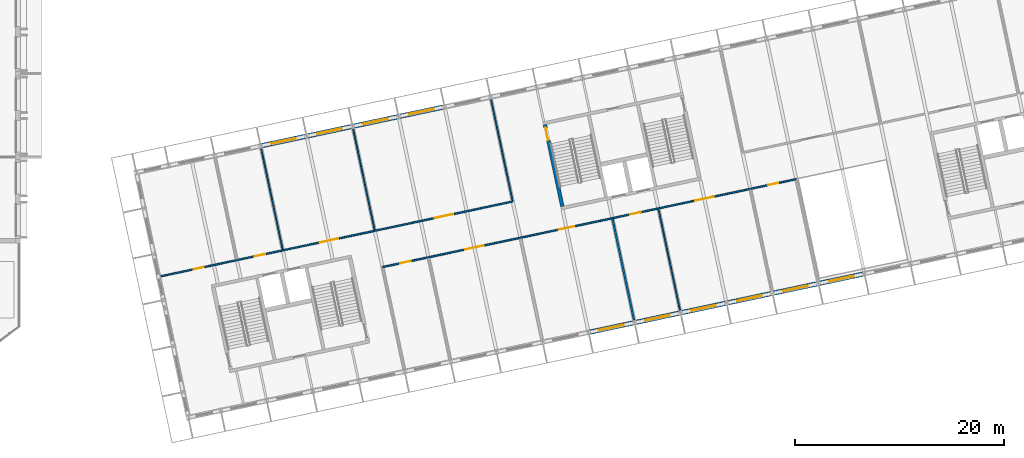
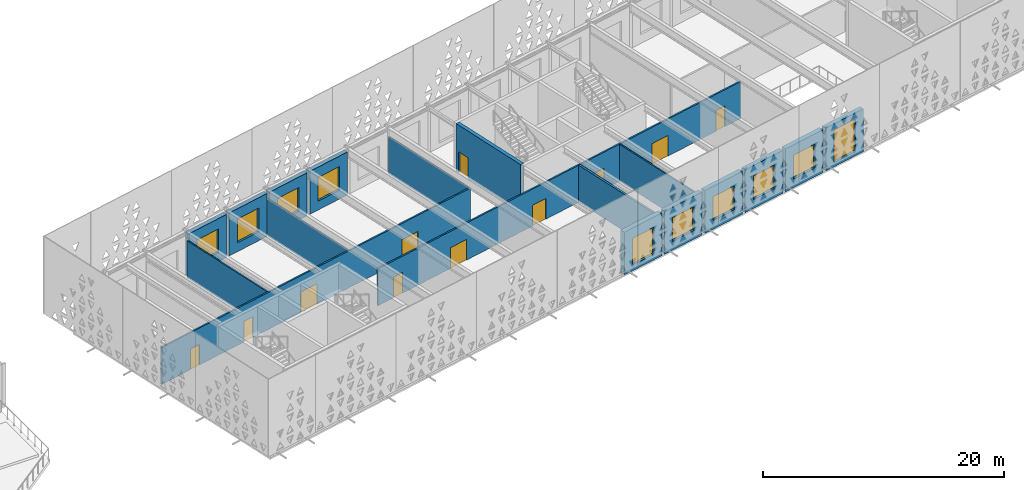
# One storey, part 117 of 196: 18 walls, 11 doors, 10 windows, 21 openings.
"""IFC4 building model written with IfcOpenShell, lengths in metres."""

from ifc_helpers import new_model, si_unit, direction, frame, frame_2d, origin, place, context, subcontext, project, spatial, rectangle, extrude, material, layer, layer_set, type_object, element, fill, save


model = new_model("IFC4")

# Units and contexts
model_context = context("Model", 3, precision=1e-05, world=origin(), true_north=direction((0.0, 1.0)))
body_context = subcontext(model_context, "Body", "Model", "MODEL_VIEW")
ifc_project = project(units=[si_unit("LENGTHUNIT", "METRE"), si_unit("AREAUNIT", "SQUARE_METRE"), si_unit("VOLUMEUNIT", "CUBIC_METRE"), si_unit("PLANEANGLEUNIT", "RADIAN"), si_unit("MASSUNIT", "GRAM", prefix="KILO")], contexts=[model_context])

# Site, building, storey
site_placement = place(None, origin())
site = spatial("IfcSite", under=ifc_project, at=site_placement, CompositionType="ELEMENT")
building_placement = place(site_placement, origin())
building = spatial("IfcBuilding", under=site, at=building_placement, Name="Okhra Congress Centre", CompositionType="ELEMENT")
storey_placement = place(building_placement, frame((0.0, 0.0, 12.0)))
storey = spatial("IfcBuildingStorey", under=building, at=storey_placement, Name="L02", CompositionType="ELEMENT", Elevation=12.0)

# Wall
ifc_material_1 = material(Name="Double gypsum board on steel studs with mineral wool", Category="steel")
ifc_layer_1 = layer(ifc_material_1, 0.199951171875)
ifc_layer_set_1 = layer_set([ifc_layer_1], Name="Acoustic partition 200")
wall_type_1 = type_object("IfcWallType", Name="Acoustic partition 200", PredefinedType="PARTITIONING", material=ifc_layer_set_1)
wall_1_placement = place(storey_placement, frame((104.98095703125, 36.38525390625, 0.0), z_axis=(0.0, 0.0, 1.0), x_axis=(-0.207927890391, 0.978144157268, 0.0)))
element("IfcWall", 1, at=wall_1_placement, inside=storey, type_object=wall_type_1, Name="Partition S L02", PredefinedType="PARTITIONING", context=body_context, shape_type="SweptSolid", body=[
    extrude(rectangle(XDim=9.92529296875, YDim=0.199951171875, at=frame_2d((4.962646484375, 0.0))), origin(), (0.0, 0.0, 1.0), 3.75),
])

# Wall, opening, window
ifc_material_2 = material(Name="Insulated metal panel on steel stud (mineral wool, vapour barrier)", Category="steel")
ifc_layer_2 = layer(ifc_material_2, 0.449951171875)
ifc_layer_set_2 = layer_set([ifc_layer_2], Name="Insulated wall 450")
wall_type_2 = type_object("IfcWallType", Name="Insulated wall 450", PredefinedType="SOLIDWALL", material=ifc_layer_set_2)
wall_2_placement = place(storey_placement, frame((100.772705078125, 35.2607421875, 0.0), z_axis=(0.0, 0.0, 1.0), x_axis=(0.978143927149, 0.207928972925, 0.0)))
wall_2 = element("IfcWall", 2, at=wall_2_placement, inside=storey, type_object=wall_type_2, Name="External wall S10 L02", PredefinedType="SOLIDWALL", context=body_context, shape_type="SweptSolid", body=[
    extrude(rectangle(XDim=4.199951171875, YDim=0.449951171875, at=frame_2d((2.10009765625, 0.0))), origin(), (0.0, 0.0, 1.0), 4.35009765625),
])
opening_1_placement = place(wall_2_placement, frame((0.89990234375, 0.0, 0.60009765625)))
opening_1 = element("IfcOpeningElement", 3, at=opening_1_placement, cuts=wall_2, Name="Opening WN23", PredefinedType="OPENING", context=body_context, shape_type="SweptSolid", body=[
    extrude(rectangle(XDim=2.39990234375, YDim=2.699951171875, at=frame_2d((1.199951171875, 1.35009765625))), frame((0.0, 0.23486328125, 0.0), z_axis=(0.0, -1.0, 0.0), x_axis=(1.0, 0.0, 0.0)), (0.0, 0.0, 1.0), 0.469970703125),
])
ifc_material_3 = material(Name="Thermally broken aluminium frame, triple glazing", Category="aluminium")
window_type_1 = type_object("IfcWindowType", Name="Casement window 2400x2700", PartitioningType="SINGLE_PANEL", PredefinedType="WINDOW", material=ifc_material_3)
window_1_placement = place(opening_1_placement, origin())
window_1 = element("IfcWindow", 4, at=window_1_placement, inside=storey, type_object=window_type_1, Name="BX.WIN.L02.10", OverallHeight=2.699951171875, OverallWidth=2.39990234375, PartitioningType="SINGLE_PANEL", PredefinedType="WINDOW", context=body_context, shape_type="SweptSolid", body=[
    extrude(rectangle(XDim=2.39990234375, YDim=2.699951171875, at=frame_2d((1.199951171875, 1.35009765625))), frame((0.0, 0.030029296875, 0.0), z_axis=(0.0, -1.0, 0.0), x_axis=(1.0, 0.0, 0.0)), (0.0, 0.0, 1.0), 0.06005859375),
])
fill(opening_1, window_1)

wall_3_placement = place(storey_placement, frame((105.17431640625, 36.196533203125, 0.0), z_axis=(0.0, 0.0, 1.0), x_axis=(0.978155748334, 0.207873355681, 0.0)))
wall_3 = element("IfcWall", 5, at=wall_3_placement, inside=storey, type_object=wall_type_2, Name="External wall S11 L02", PredefinedType="SOLIDWALL", context=body_context, shape_type="SweptSolid", body=[
    extrude(rectangle(XDim=4.199951171875, YDim=0.449951171875, at=frame_2d((2.10009765625, 0.0))), origin(), (0.0, 0.0, 1.0), 4.35009765625),
])
opening_2_placement = place(wall_3_placement, frame((0.89990234375, 0.0, 0.89990234375)))
opening_2 = element("IfcOpeningElement", 6, at=opening_2_placement, cuts=wall_3, Name="Opening WN22", PredefinedType="OPENING", context=body_context, shape_type="SweptSolid", body=[
    extrude(rectangle(XDim=2.39990234375, YDim=2.39990234375, at=frame_2d((1.199951171875, 1.199951171875))), frame((0.0, 0.23486328125, 0.0), z_axis=(0.0, -1.0, 0.0), x_axis=(1.0, 0.0, 0.0)), (0.0, 0.0, 1.0), 0.469970703125),
])
window_type_2 = type_object("IfcWindowType", Name="Fixed window 2400x2400", PartitioningType="SINGLE_PANEL", PredefinedType="WINDOW", material=ifc_material_3)
window_2_placement = place(opening_2_placement, origin())
window_2 = element("IfcWindow", 7, at=window_2_placement, inside=storey, type_object=window_type_2, Name="BX.WIN.L02.11", OverallHeight=2.39990234375, OverallWidth=2.39990234375, PartitioningType="SINGLE_PANEL", PredefinedType="WINDOW", context=body_context, shape_type="SweptSolid", body=[
    extrude(rectangle(XDim=2.39990234375, YDim=2.39990234375, at=frame_2d((1.199951171875, 1.199951171875))), frame((0.0, 0.030029296875, 0.0), z_axis=(0.0, -1.0, 0.0), x_axis=(1.0, 0.0, 0.0)), (0.0, 0.0, 1.0), 0.06005859375),
])
fill(opening_2, window_2)

wall_4_placement = place(storey_placement, frame((109.575927734375, 37.132080078125, 0.0), z_axis=(0.0, 0.0, 1.0), x_axis=(0.978146440129, 0.207917150959, 0.0)))
wall_4 = element("IfcWall", 8, at=wall_4_placement, inside=storey, type_object=wall_type_2, Name="External wall S12 L02", PredefinedType="SOLIDWALL", context=body_context, shape_type="SweptSolid", body=[
    extrude(rectangle(XDim=4.2001953125, YDim=0.449951171875, at=frame_2d((2.10009765625, 0.0))), origin(), (0.0, 0.0, 1.0), 4.35009765625),
])
opening_3_placement = place(wall_4_placement, frame((0.89990234375, 0.0, 0.89990234375)))
opening_3 = element("IfcOpeningElement", 9, at=opening_3_placement, cuts=wall_4, Name="Opening WN22", PredefinedType="OPENING", context=body_context, shape_type="SweptSolid", body=[
    extrude(rectangle(XDim=2.39990234375, YDim=2.39990234375, at=frame_2d((1.199951171875, 1.199951171875))), frame((0.0, 0.23486328125, 0.0), z_axis=(0.0, -1.0, 0.0), x_axis=(1.0, 0.0, 0.0)), (0.0, 0.0, 1.0), 0.469970703125),
])
window_3_placement = place(opening_3_placement, origin())
window_3 = element("IfcWindow", 10, at=window_3_placement, inside=storey, type_object=window_type_2, Name="BX.WIN.L02.12", OverallHeight=2.39990234375, OverallWidth=2.39990234375, PartitioningType="SINGLE_PANEL", PredefinedType="WINDOW", context=body_context, shape_type="SweptSolid", body=[
    extrude(rectangle(XDim=2.39990234375, YDim=2.39990234375, at=frame_2d((1.199951171875, 1.199951171875))), frame((0.0, 0.030029296875, 0.0), z_axis=(0.0, -1.0, 0.0), x_axis=(1.0, 0.0, 0.0)), (0.0, 0.0, 1.0), 0.06005859375),
])
fill(opening_3, window_3)

wall_5_placement = place(storey_placement, frame((113.977783203125, 38.067626953125, 0.0), z_axis=(0.0, 0.0, 1.0), x_axis=(0.978143927149, 0.207928972925, 0.0)))
wall_5 = element("IfcWall", 11, at=wall_5_placement, inside=storey, type_object=wall_type_2, Name="External wall S13 L02", PredefinedType="SOLIDWALL", context=body_context, shape_type="SweptSolid", body=[
    extrude(rectangle(XDim=4.199951171875, YDim=0.449951171875, at=frame_2d((2.10009765625, 0.0))), origin(), (0.0, 0.0, 1.0), 4.35009765625),
])
opening_4_placement = place(wall_5_placement, frame((0.89990234375, 0.0, 0.89990234375)))
opening_4 = element("IfcOpeningElement", 12, at=opening_4_placement, cuts=wall_5, Name="Opening WN22", PredefinedType="OPENING", context=body_context, shape_type="SweptSolid", body=[
    extrude(rectangle(XDim=2.39990234375, YDim=2.39990234375, at=frame_2d((1.199951171875, 1.199951171875))), frame((0.0, 0.23486328125, 0.0), z_axis=(0.0, -1.0, 0.0), x_axis=(1.0, 0.0, 0.0)), (0.0, 0.0, 1.0), 0.469970703125),
])
window_4_placement = place(opening_4_placement, origin())
window_4 = element("IfcWindow", 13, at=window_4_placement, inside=storey, type_object=window_type_2, Name="BX.WIN.L02.13", OverallHeight=2.39990234375, OverallWidth=2.39990234375, PartitioningType="SINGLE_PANEL", PredefinedType="WINDOW", context=body_context, shape_type="SweptSolid", body=[
    extrude(rectangle(XDim=2.39990234375, YDim=2.39990234375, at=frame_2d((1.199951171875, 1.199951171875))), frame((0.0, 0.030029296875, 0.0), z_axis=(0.0, -1.0, 0.0), x_axis=(1.0, 0.0, 0.0)), (0.0, 0.0, 1.0), 0.06005859375),
])
fill(opening_4, window_4)

wall_6_placement = place(storey_placement, frame((118.37939453125, 39.003173828125, 0.0), z_axis=(0.0, 0.0, 1.0), x_axis=(0.978143927149, 0.207928972925, 0.0)))
wall_6 = element("IfcWall", 14, at=wall_6_placement, inside=storey, type_object=wall_type_2, Name="External wall S14 L02", PredefinedType="SOLIDWALL", context=body_context, shape_type="SweptSolid", body=[
    extrude(rectangle(XDim=4.199951171875, YDim=0.449951171875, at=frame_2d((2.10009765625, 0.0))), origin(), (0.0, 0.0, 1.0), 4.35009765625),
])
opening_5_placement = place(wall_6_placement, frame((0.89990234375, 0.0, 0.89990234375)))
opening_5 = element("IfcOpeningElement", 15, at=opening_5_placement, cuts=wall_6, Name="Opening WN22", PredefinedType="OPENING", context=body_context, shape_type="SweptSolid", body=[
    extrude(rectangle(XDim=2.39990234375, YDim=2.39990234375, at=frame_2d((1.199951171875, 1.199951171875))), frame((0.0, 0.23486328125, 0.0), z_axis=(0.0, -1.0, 0.0), x_axis=(1.0, 0.0, 0.0)), (0.0, 0.0, 1.0), 0.469970703125),
])
window_5_placement = place(opening_5_placement, origin())
window_5 = element("IfcWindow", 16, at=window_5_placement, inside=storey, type_object=window_type_2, Name="BX.WIN.L02.14", OverallHeight=2.39990234375, OverallWidth=2.39990234375, PartitioningType="SINGLE_PANEL", PredefinedType="WINDOW", context=body_context, shape_type="SweptSolid", body=[
    extrude(rectangle(XDim=2.39990234375, YDim=2.39990234375, at=frame_2d((1.199951171875, 1.199951171875))), frame((0.0, 0.030029296875, 0.0), z_axis=(0.0, -1.0, 0.0), x_axis=(1.0, 0.0, 0.0)), (0.0, 0.0, 1.0), 0.06005859375),
])
fill(opening_5, window_5)

wall_7_placement = place(storey_placement, frame((122.781005859375, 39.93896484375, 0.0), z_axis=(0.0, 0.0, 1.0), x_axis=(0.978155748334, 0.207873355681, 0.0)))
wall_7 = element("IfcWall", 17, at=wall_7_placement, inside=storey, type_object=wall_type_2, Name="External wall S15 L02", PredefinedType="SOLIDWALL", context=body_context, shape_type="SweptSolid", body=[
    extrude(rectangle(XDim=4.199951171875, YDim=0.449951171875, at=frame_2d((2.10009765625, 0.0))), origin(), (0.0, 0.0, 1.0), 4.35009765625),
])
opening_6_placement = place(wall_7_placement, frame((0.89990234375, 0.0, 0.449951171875)))
opening_6 = element("IfcOpeningElement", 18, at=opening_6_placement, cuts=wall_7, Name="Opening WN21", PredefinedType="OPENING", context=body_context, shape_type="SweptSolid", body=[
    extrude(rectangle(XDim=2.39990234375, YDim=3.300048828125, at=frame_2d((1.199951171875, 1.64990234375))), frame((0.0, 0.23486328125, 0.0), z_axis=(0.0, -1.0, 0.0), x_axis=(1.0, 0.0, 0.0)), (0.0, 0.0, 1.0), 0.469970703125),
])
window_type_3 = type_object("IfcWindowType", Name="Two-light window 2400x3300", PartitioningType="DOUBLE_PANEL_VERTICAL", PredefinedType="WINDOW", material=ifc_material_3)
window_6_placement = place(opening_6_placement, origin())
window_6 = element("IfcWindow", 19, at=window_6_placement, inside=storey, type_object=window_type_3, Name="BX.WIN.L02.15", OverallHeight=3.300048828125, OverallWidth=2.39990234375, PartitioningType="DOUBLE_PANEL_VERTICAL", PredefinedType="WINDOW", context=body_context, shape_type="SweptSolid", body=[
    extrude(rectangle(XDim=2.39990234375, YDim=3.300048828125, at=frame_2d((1.199951171875, 1.64990234375))), frame((0.0, 0.030029296875, 0.0), z_axis=(0.0, -1.0, 0.0), x_axis=(1.0, 0.0, 0.0)), (0.0, 0.0, 1.0), 0.06005859375),
])
fill(opening_6, window_6)

wall_8_placement = place(storey_placement, frame((69.372802734375, 53.122802734375, 0.0), z_axis=(0.0, 0.0, 1.0), x_axis=(0.978143927149, 0.207928972925, 0.0)))
wall_8 = element("IfcWall", 20, at=wall_8_placement, inside=storey, type_object=wall_type_2, Name="External wall N4 L02", PredefinedType="SOLIDWALL", context=body_context, shape_type="SweptSolid", body=[
    extrude(rectangle(XDim=4.199951171875, YDim=0.449951171875, at=frame_2d((2.10009765625, 0.0))), origin(), (0.0, 0.0, 1.0), 4.35009765625),
])
opening_7_placement = place(wall_8_placement, frame((0.89990234375, 0.0, 0.89990234375)))
opening_7 = element("IfcOpeningElement", 21, at=opening_7_placement, cuts=wall_8, Name="Opening WN22", PredefinedType="OPENING", context=body_context, shape_type="SweptSolid", body=[
    extrude(rectangle(XDim=2.39990234375, YDim=2.39990234375, at=frame_2d((1.199951171875, 1.199951171875))), frame((0.0, 0.23486328125, 0.0), z_axis=(0.0, -1.0, 0.0), x_axis=(1.0, 0.0, 0.0)), (0.0, 0.0, 1.0), 0.469970703125),
])
window_7_placement = place(opening_7_placement, origin())
window_7 = element("IfcWindow", 22, at=window_7_placement, inside=storey, type_object=window_type_2, Name="BX.WIN.L02.40", OverallHeight=2.39990234375, OverallWidth=2.39990234375, PartitioningType="SINGLE_PANEL", PredefinedType="WINDOW", context=body_context, shape_type="SweptSolid", body=[
    extrude(rectangle(XDim=2.39990234375, YDim=2.39990234375, at=frame_2d((1.199951171875, 1.199951171875))), frame((0.0, 0.030029296875, 0.0), z_axis=(0.0, -1.0, 0.0), x_axis=(1.0, 0.0, 0.0)), (0.0, 0.0, 1.0), 0.06005859375),
])
fill(opening_7, window_7)

wall_9_placement = place(storey_placement, frame((73.7744140625, 54.058349609375, 0.0), z_axis=(0.0, 0.0, 1.0), x_axis=(0.978146440129, 0.207917150959, 0.0)))
wall_9 = element("IfcWall", 23, at=wall_9_placement, inside=storey, type_object=wall_type_2, Name="External wall N5 L02", PredefinedType="SOLIDWALL", context=body_context, shape_type="SweptSolid", body=[
    extrude(rectangle(XDim=4.2001953125, YDim=0.449951171875, at=frame_2d((2.10009765625, 0.0))), origin(), (0.0, 0.0, 1.0), 4.35009765625),
])
opening_8_placement = place(wall_9_placement, frame((0.89990234375, 0.0, 0.89990234375)))
opening_8 = element("IfcOpeningElement", 24, at=opening_8_placement, cuts=wall_9, Name="Opening WN22", PredefinedType="OPENING", context=body_context, shape_type="SweptSolid", body=[
    extrude(rectangle(XDim=2.39990234375, YDim=2.39990234375, at=frame_2d((1.199951171875, 1.199951171875))), frame((0.0, 0.23486328125, 0.0), z_axis=(0.0, -1.0, 0.0), x_axis=(1.0, 0.0, 0.0)), (0.0, 0.0, 1.0), 0.469970703125),
])
window_8_placement = place(opening_8_placement, origin())
window_8 = element("IfcWindow", 25, at=window_8_placement, inside=storey, type_object=window_type_2, Name="BX.WIN.L02.41", OverallHeight=2.39990234375, OverallWidth=2.39990234375, PartitioningType="SINGLE_PANEL", PredefinedType="WINDOW", context=body_context, shape_type="SweptSolid", body=[
    extrude(rectangle(XDim=2.39990234375, YDim=2.39990234375, at=frame_2d((1.199951171875, 1.199951171875))), frame((0.0, 0.030029296875, 0.0), z_axis=(0.0, -1.0, 0.0), x_axis=(1.0, 0.0, 0.0)), (0.0, 0.0, 1.0), 0.06005859375),
])
fill(opening_8, window_8)

wall_10_placement = place(storey_placement, frame((78.17626953125, 54.993896484375, 0.0), z_axis=(0.0, 0.0, 1.0), x_axis=(0.978143927149, 0.207928972925, 0.0)))
wall_10 = element("IfcWall", 26, at=wall_10_placement, inside=storey, type_object=wall_type_2, Name="External wall N6 L02", PredefinedType="SOLIDWALL", context=body_context, shape_type="SweptSolid", body=[
    extrude(rectangle(XDim=4.199951171875, YDim=0.449951171875, at=frame_2d((2.10009765625, 0.0))), origin(), (0.0, 0.0, 1.0), 4.35009765625),
])
opening_9_placement = place(wall_10_placement, frame((0.89990234375, 0.0, 0.89990234375)))
opening_9 = element("IfcOpeningElement", 27, at=opening_9_placement, cuts=wall_10, Name="Opening WN22", PredefinedType="OPENING", context=body_context, shape_type="SweptSolid", body=[
    extrude(rectangle(XDim=2.39990234375, YDim=2.39990234375, at=frame_2d((1.199951171875, 1.199951171875))), frame((0.0, 0.23486328125, 0.0), z_axis=(0.0, -1.0, 0.0), x_axis=(1.0, 0.0, 0.0)), (0.0, 0.0, 1.0), 0.469970703125),
])
window_9_placement = place(opening_9_placement, origin())
window_9 = element("IfcWindow", 28, at=window_9_placement, inside=storey, type_object=window_type_2, Name="BX.WIN.L02.42", OverallHeight=2.39990234375, OverallWidth=2.39990234375, PartitioningType="SINGLE_PANEL", PredefinedType="WINDOW", context=body_context, shape_type="SweptSolid", body=[
    extrude(rectangle(XDim=2.39990234375, YDim=2.39990234375, at=frame_2d((1.199951171875, 1.199951171875))), frame((0.0, 0.030029296875, 0.0), z_axis=(0.0, -1.0, 0.0), x_axis=(1.0, 0.0, 0.0)), (0.0, 0.0, 1.0), 0.06005859375),
])
fill(opening_9, window_9)

wall_11_placement = place(storey_placement, frame((82.577880859375, 55.9296875, 0.0), z_axis=(0.0, 0.0, 1.0), x_axis=(0.978155748334, 0.207873355681, 0.0)))
wall_11 = element("IfcWall", 29, at=wall_11_placement, inside=storey, type_object=wall_type_2, Name="External wall N7 L02", PredefinedType="SOLIDWALL", context=body_context, shape_type="SweptSolid", body=[
    extrude(rectangle(XDim=4.199951171875, YDim=0.449951171875, at=frame_2d((2.10009765625, 0.0))), origin(), (0.0, 0.0, 1.0), 4.35009765625),
])
opening_10_placement = place(wall_11_placement, frame((0.89990234375, 0.0, 0.89990234375)))
opening_10 = element("IfcOpeningElement", 30, at=opening_10_placement, cuts=wall_11, Name="Opening WN22", PredefinedType="OPENING", context=body_context, shape_type="SweptSolid", body=[
    extrude(rectangle(XDim=2.39990234375, YDim=2.39990234375, at=frame_2d((1.199951171875, 1.199951171875))), frame((0.0, 0.23486328125, 0.0), z_axis=(0.0, -1.0, 0.0), x_axis=(1.0, 0.0, 0.0)), (0.0, 0.0, 1.0), 0.469970703125),
])
window_10_placement = place(opening_10_placement, origin())
window_10 = element("IfcWindow", 31, at=window_10_placement, inside=storey, type_object=window_type_2, Name="BX.WIN.L02.43", OverallHeight=2.39990234375, OverallWidth=2.39990234375, PartitioningType="SINGLE_PANEL", PredefinedType="WINDOW", context=body_context, shape_type="SweptSolid", body=[
    extrude(rectangle(XDim=2.39990234375, YDim=2.39990234375, at=frame_2d((1.199951171875, 1.199951171875))), frame((0.0, 0.030029296875, 0.0), z_axis=(0.0, -1.0, 0.0), x_axis=(1.0, 0.0, 0.0)), (0.0, 0.0, 1.0), 0.06005859375),
])
fill(opening_10, window_10)

# Walls
ifc_material_4 = material(Name="Gypsum board on steel studs", Category="steel")
ifc_layer_3 = layer(ifc_material_4, 0.125)
ifc_layer_set_3 = layer_set([ifc_layer_3], Name="Partition 125")
wall_type_3 = type_object("IfcWallType", Name="Partition 125", PredefinedType="PARTITIONING", material=ifc_layer_set_3)
wall_12_placement = place(storey_placement, frame((109.382568359375, 37.321044921875, 0.0), z_axis=(0.0, 0.0, 1.0), x_axis=(-0.20790935802, 0.978148096582, 0.0)))
element("IfcWall", 32, at=wall_12_placement, inside=storey, type_object=wall_type_3, Name="Partition S L02", PredefinedType="PARTITIONING", context=body_context, shape_type="SweptSolid", body=[
    extrude(rectangle(XDim=9.9248046875, YDim=0.125, at=frame_2d((4.96240234375, 0.0))), origin(), (0.0, 0.0, 1.0), 3.75),
])
wall_13_placement = place(storey_placement, frame((69.27294921875, 52.87158203125, 0.0), z_axis=(0.0, 0.0, 1.0), x_axis=(0.207904355568, -0.978149159861, 0.0)))
element("IfcWall", 33, at=wall_13_placement, inside=storey, type_object=wall_type_3, Name="Partition N L02", PredefinedType="PARTITIONING", context=body_context, shape_type="SweptSolid", body=[
    extrude(rectangle(XDim=9.925048828125, YDim=0.125, at=frame_2d((4.96240234375, 0.0))), origin(), (0.0, 0.0, 1.0), 3.75),
])
wall_14_placement = place(storey_placement, frame((78.076171875, 54.74267578125, 0.0), z_axis=(0.0, 0.0, 1.0), x_axis=(0.20790935802, -0.978148096582, 0.0)))
element("IfcWall", 34, at=wall_14_placement, inside=storey, type_object=wall_type_3, Name="Partition N L02", PredefinedType="PARTITIONING", context=body_context, shape_type="SweptSolid", body=[
    extrude(rectangle(XDim=9.9248046875, YDim=0.125, at=frame_2d((4.96240234375, 0.0))), origin(), (0.0, 0.0, 1.0), 3.75),
])
wall_15_placement = place(storey_placement, frame((91.28125, 57.549560546875, 0.0), z_axis=(0.0, 0.0, 1.0), x_axis=(0.207904355568, -0.978149159861, 0.0)))
element("IfcWall", 35, at=wall_15_placement, inside=storey, type_object=wall_type_3, Name="Partition N L02", PredefinedType="PARTITIONING", context=body_context, shape_type="SweptSolid", body=[
    extrude(rectangle(XDim=9.925048828125, YDim=0.125, at=frame_2d((4.96240234375, 0.0))), origin(), (0.0, 0.0, 1.0), 3.75),
])

# Wall, openings, doors
ifc_layer_4 = layer(ifc_material_4, 0.14990234375)
ifc_layer_set_4 = layer_set([ifc_layer_4], Name="Partition 150 EI 15")
wall_type_4 = type_object("IfcWallType", Name="Partition 150 EI 15", PredefinedType="PARTITIONING", material=ifc_layer_set_4)
wall_16_placement = place(storey_placement, frame((80.893310546875, 41.48876953125, 0.0), z_axis=(0.0, 0.0, 1.0), x_axis=(0.978147680869, 0.207911313813, 0.0)))
wall_16 = element("IfcWall", 36, at=wall_16_placement, inside=storey, type_object=wall_type_4, Name="Corridor wall S1 L02", PredefinedType="PARTITIONING", context=body_context, shape_type="SweptSolid", body=[
    extrude(rectangle(XDim=40.5, YDim=0.14990234375, at=frame_2d((20.25, 0.0))), origin(), (0.0, 0.0, 1.0), 3.75),
])
opening_11_placement = place(wall_16_placement, frame((1.75, 0.0, 0.0)))
opening_11 = element("IfcOpeningElement", 37, at=opening_11_placement, cuts=wall_16, Name="Opening L02-061", PredefinedType="OPENING", context=body_context, shape_type="SweptSolid", body=[
    extrude(rectangle(XDim=1.0, YDim=2.10009765625, at=frame_2d((0.5, 1.050048828125))), frame((0.0, 0.0849609375, 0.0), z_axis=(0.0, -1.0, 0.0), x_axis=(1.0, 0.0, 0.0)), (0.0, 0.0, 1.0), 0.169921875),
])
opening_12_placement = place(wall_16_placement, frame((8.10009765625, 0.0, 0.0)))
opening_12 = element("IfcOpeningElement", 38, at=opening_12_placement, cuts=wall_16, Name="Opening L02-062", PredefinedType="OPENING", context=body_context, shape_type="SweptSolid", body=[
    extrude(rectangle(XDim=1.800048828125, YDim=2.10009765625, at=frame_2d((0.89990234375, 1.050048828125))), frame((0.0, 0.0849609375, 0.0), z_axis=(0.0, -1.0, 0.0), x_axis=(1.0, 0.0, 0.0)), (0.0, 0.0, 1.0), 0.169921875),
])
opening_13_placement = place(wall_16_placement, frame((17.25, 0.0, 0.0)))
opening_13 = element("IfcOpeningElement", 39, at=opening_13_placement, cuts=wall_16, Name="Opening L02-063", PredefinedType="OPENING", context=body_context, shape_type="SweptSolid", body=[
    extrude(rectangle(XDim=1.5, YDim=2.10009765625, at=frame_2d((0.75, 1.050048828125))), frame((0.0, 0.0849609375, 0.0), z_axis=(0.0, -1.0, 0.0), x_axis=(1.0, 0.0, 0.0)), (0.0, 0.0, 1.0), 0.169921875),
])
opening_14_placement = place(wall_16_placement, frame((24.25, 0.0, 0.0)))
opening_14 = element("IfcOpeningElement", 40, at=opening_14_placement, cuts=wall_16, Name="Opening L02-064", PredefinedType="OPENING", context=body_context, shape_type="SweptSolid", body=[
    extrude(rectangle(XDim=1.0, YDim=2.10009765625, at=frame_2d((0.5, 1.050048828125))), frame((0.0, 0.0849609375, 0.0), z_axis=(0.0, -1.0, 0.0), x_axis=(1.0, 0.0, 0.0)), (0.0, 0.0, 1.0), 0.169921875),
])
opening_15_placement = place(wall_16_placement, frame((30.60009765625, 0.0, 0.0)))
opening_15 = element("IfcOpeningElement", 41, at=opening_15_placement, cuts=wall_16, Name="Opening L02-065", PredefinedType="OPENING", context=body_context, shape_type="SweptSolid", body=[
    extrude(rectangle(XDim=1.800048828125, YDim=2.10009765625, at=frame_2d((0.89990234375, 1.050048828125))), frame((0.0, 0.0849609375, 0.0), z_axis=(0.0, -1.0, 0.0), x_axis=(1.0, 0.0, 0.0)), (0.0, 0.0, 1.0), 0.169921875),
])
opening_16_placement = place(wall_16_placement, frame((37.75, 0.0, 0.0)))
opening_16 = element("IfcOpeningElement", 42, at=opening_16_placement, cuts=wall_16, Name="Opening L02-066", PredefinedType="OPENING", context=body_context, shape_type="SweptSolid", body=[
    extrude(rectangle(XDim=1.0, YDim=2.10009765625, at=frame_2d((0.5, 1.050048828125))), frame((0.0, 0.0849609375, 0.0), z_axis=(0.0, -1.0, 0.0), x_axis=(1.0, 0.0, 0.0)), (0.0, 0.0, 1.0), 0.169921875),
])
ifc_material_5 = material(Name="Timber door leaves in steel frame", Category="steel")
door_type_1 = type_object("IfcDoorType", Name="Double swing door 1500x2100", OperationType="NOTDEFINED", PredefinedType="DOOR", material=ifc_material_5)
door_1_placement = place(opening_13_placement, origin())
door_1 = element("IfcDoor", 43, at=door_1_placement, inside=storey, type_object=door_type_1, Name="Door L02-063", OperationType="DOUBLE_DOOR_SINGLE_SWING", OverallHeight=2.10009765625, OverallWidth=1.5, PredefinedType="DOOR", context=body_context, shape_type="SweptSolid", body=[
    extrude(rectangle(XDim=1.5, YDim=2.10009765625, at=frame_2d((0.75, 1.050048828125))), frame((0.0, 0.02490234375, 0.0), z_axis=(0.0, -1.0, 0.0), x_axis=(1.0, 0.0, 0.0)), (0.0, 0.0, 1.0), 0.050048828125),
])
fill(opening_13, door_1)
door_type_2 = type_object("IfcDoorType", Name="Double swing door 1800x2100", OperationType="NOTDEFINED", PredefinedType="DOOR", material=ifc_material_5)
door_2_placement = place(opening_12_placement, origin())
door_2 = element("IfcDoor", 44, at=door_2_placement, inside=storey, type_object=door_type_2, Name="Door L02-062", OperationType="DOUBLE_DOOR_SINGLE_SWING", OverallHeight=2.10009765625, OverallWidth=1.800048828125, PredefinedType="DOOR", context=body_context, shape_type="SweptSolid", body=[
    extrude(rectangle(XDim=1.800048828125, YDim=2.10009765625, at=frame_2d((0.89990234375, 1.050048828125))), frame((0.0, 0.02490234375, 0.0), z_axis=(0.0, -1.0, 0.0), x_axis=(1.0, 0.0, 0.0)), (0.0, 0.0, 1.0), 0.050048828125),
])
fill(opening_12, door_2)
door_3_placement = place(opening_15_placement, origin())
door_3 = element("IfcDoor", 45, at=door_3_placement, inside=storey, type_object=door_type_2, Name="Door L02-065", OperationType="DOUBLE_DOOR_SINGLE_SWING", OverallHeight=2.10009765625, OverallWidth=1.800048828125, PredefinedType="DOOR", context=body_context, shape_type="SweptSolid", body=[
    extrude(rectangle(XDim=1.800048828125, YDim=2.10009765625, at=frame_2d((0.89990234375, 1.050048828125))), frame((0.0, 0.02490234375, 0.0), z_axis=(0.0, -1.0, 0.0), x_axis=(1.0, 0.0, 0.0)), (0.0, 0.0, 1.0), 0.050048828125),
])
fill(opening_15, door_3)
ifc_material_6 = material(Name="Timber door leaf in steel frame", Category="steel")
door_type_3 = type_object("IfcDoorType", Name="Single swing door 1000x2100", OperationType="NOTDEFINED", PredefinedType="DOOR", material=ifc_material_6)
door_4_placement = place(opening_11_placement, frame((1.0, 0.0, 0.0), z_axis=(0.0, 0.0, 1.0), x_axis=(-1.0, 0.0, 0.0)))
door_4 = element("IfcDoor", 46, at=door_4_placement, inside=storey, type_object=door_type_3, Name="Door L02-061", OperationType="SINGLE_SWING_LEFT", OverallHeight=2.10009765625, OverallWidth=1.0, PredefinedType="DOOR", context=body_context, shape_type="SweptSolid", body=[
    extrude(rectangle(XDim=1.0, YDim=2.10009765625, at=frame_2d((0.5, 1.050048828125))), frame((0.0, 0.02490234375, 0.0), z_axis=(0.0, -1.0, 0.0), x_axis=(1.0, 0.0, 0.0)), (0.0, 0.0, 1.0), 0.050048828125),
])
fill(opening_11, door_4)
door_5_placement = place(opening_14_placement, frame((1.0, 0.0, 0.0), z_axis=(0.0, 0.0, 1.0), x_axis=(-1.0, 0.0, 0.0)))
door_5 = element("IfcDoor", 47, at=door_5_placement, inside=storey, type_object=door_type_3, Name="Door L02-064", OperationType="SINGLE_SWING_RIGHT", OverallHeight=2.10009765625, OverallWidth=1.0, PredefinedType="DOOR", context=body_context, shape_type="SweptSolid", body=[
    extrude(rectangle(XDim=1.0, YDim=2.10009765625, at=frame_2d((0.5, 1.050048828125))), frame((0.0, 0.02490234375, 0.0), z_axis=(0.0, -1.0, 0.0), x_axis=(1.0, 0.0, 0.0)), (0.0, 0.0, 1.0), 0.050048828125),
])
fill(opening_14, door_5)
door_6_placement = place(opening_16_placement, frame((1.0, 0.0, 0.0), z_axis=(0.0, 0.0, 1.0), x_axis=(-1.0, 0.0, 0.0)))
door_6 = element("IfcDoor", 48, at=door_6_placement, inside=storey, type_object=door_type_3, Name="Door L02-066", OperationType="SINGLE_SWING_RIGHT", OverallHeight=2.10009765625, OverallWidth=1.0, PredefinedType="DOOR", context=body_context, shape_type="SweptSolid", body=[
    extrude(rectangle(XDim=1.0, YDim=2.10009765625, at=frame_2d((0.5, 1.050048828125))), frame((0.0, 0.02490234375, 0.0), z_axis=(0.0, -1.0, 0.0), x_axis=(1.0, 0.0, 0.0)), (0.0, 0.0, 1.0), 0.050048828125),
])
fill(opening_16, door_6)

wall_17_placement = place(storey_placement, frame((59.6630859375, 40.60546875, 0.0), z_axis=(0.0, 0.0, 1.0), x_axis=(0.978147466509, 0.207912322295, 0.0)))
wall_17 = element("IfcWall", 49, at=wall_17_placement, inside=storey, type_object=wall_type_4, Name="Corridor wall N1 L02", PredefinedType="PARTITIONING", context=body_context, shape_type="SweptSolid", body=[
    extrude(rectangle(XDim=34.4501953125, YDim=0.14990234375, at=frame_2d((17.22509765625, 0.0))), origin(), (0.0, 0.0, 1.0), 3.75),
])
opening_17_placement = place(wall_17_placement, frame((3.22509765625, 0.0, 0.0)))
opening_17 = element("IfcOpeningElement", 50, at=opening_17_placement, cuts=wall_17, Name="Opening L02-074", PredefinedType="OPENING", context=body_context, shape_type="SweptSolid", body=[
    extrude(rectangle(XDim=1.0, YDim=2.10009765625, at=frame_2d((0.5, 1.050048828125))), frame((0.0, 0.0849609375, 0.0), z_axis=(0.0, -1.0, 0.0), x_axis=(1.0, 0.0, 0.0)), (0.0, 0.0, 1.0), 0.169921875),
])
opening_18_placement = place(wall_17_placement, frame((9.199951171875, 0.0, 0.0)))
opening_18 = element("IfcOpeningElement", 51, at=opening_18_placement, cuts=wall_17, Name="Opening L02-075", PredefinedType="OPENING", context=body_context, shape_type="SweptSolid", body=[
    extrude(rectangle(XDim=1.0, YDim=2.10009765625, at=frame_2d((0.5, 1.050048828125))), frame((0.0, 0.0849609375, 0.0), z_axis=(0.0, -1.0, 0.0), x_axis=(1.0, 0.0, 0.0)), (0.0, 0.0, 1.0), 0.169921875),
])
opening_19_placement = place(wall_17_placement, frame((15.550048828125, 0.0, 0.0)))
opening_19 = element("IfcOpeningElement", 52, at=opening_19_placement, cuts=wall_17, Name="Opening L02-076", PredefinedType="OPENING", context=body_context, shape_type="SweptSolid", body=[
    extrude(rectangle(XDim=1.800048828125, YDim=2.10009765625, at=frame_2d((0.89990234375, 1.050048828125))), frame((0.0, 0.0849609375, 0.0), z_axis=(0.0, -1.0, 0.0), x_axis=(1.0, 0.0, 0.0)), (0.0, 0.0, 1.0), 0.169921875),
])
opening_20_placement = place(wall_17_placement, frame((26.800048828125, 0.0, 0.0)))
opening_20 = element("IfcOpeningElement", 53, at=opening_20_placement, cuts=wall_17, Name="Opening L02-077", PredefinedType="OPENING", context=body_context, shape_type="SweptSolid", body=[
    extrude(rectangle(XDim=1.800048828125, YDim=2.10009765625, at=frame_2d((0.89990234375, 1.050048828125))), frame((0.0, 0.0849609375, 0.0), z_axis=(0.0, -1.0, 0.0), x_axis=(1.0, 0.0, 0.0)), (0.0, 0.0, 1.0), 0.169921875),
])
door_7_placement = place(opening_19_placement, frame((1.800048828125, 0.0, 0.0), z_axis=(0.0, 0.0, 1.0), x_axis=(-1.0, 0.0, 0.0)))
door_7 = element("IfcDoor", 54, at=door_7_placement, inside=storey, type_object=door_type_2, Name="Door L02-076", OperationType="DOUBLE_DOOR_SINGLE_SWING", OverallHeight=2.10009765625, OverallWidth=1.800048828125, PredefinedType="DOOR", context=body_context, shape_type="SweptSolid", body=[
    extrude(rectangle(XDim=1.800048828125, YDim=2.10009765625, at=frame_2d((0.89990234375, 1.050048828125))), frame((0.0, 0.02490234375, 0.0), z_axis=(0.0, -1.0, 0.0), x_axis=(1.0, 0.0, 0.0)), (0.0, 0.0, 1.0), 0.050048828125),
])
fill(opening_19, door_7)
door_8_placement = place(opening_20_placement, frame((1.800048828125, 0.0, 0.0), z_axis=(0.0, 0.0, 1.0), x_axis=(-1.0, 0.0, 0.0)))
door_8 = element("IfcDoor", 55, at=door_8_placement, inside=storey, type_object=door_type_2, Name="Door L02-077", OperationType="DOUBLE_DOOR_SINGLE_SWING", OverallHeight=2.10009765625, OverallWidth=1.800048828125, PredefinedType="DOOR", context=body_context, shape_type="SweptSolid", body=[
    extrude(rectangle(XDim=1.800048828125, YDim=2.10009765625, at=frame_2d((0.89990234375, 1.050048828125))), frame((0.0, 0.02490234375, 0.0), z_axis=(0.0, -1.0, 0.0), x_axis=(1.0, 0.0, 0.0)), (0.0, 0.0, 1.0), 0.050048828125),
])
fill(opening_20, door_8)
door_9_placement = place(opening_17_placement, origin())
door_9 = element("IfcDoor", 56, at=door_9_placement, inside=storey, type_object=door_type_3, Name="Door L02-074", OperationType="SINGLE_SWING_RIGHT", OverallHeight=2.10009765625, OverallWidth=1.0, PredefinedType="DOOR", context=body_context, shape_type="SweptSolid", body=[
    extrude(rectangle(XDim=1.0, YDim=2.10009765625, at=frame_2d((0.5, 1.050048828125))), frame((0.0, 0.02490234375, 0.0), z_axis=(0.0, -1.0, 0.0), x_axis=(1.0, 0.0, 0.0)), (0.0, 0.0, 1.0), 0.050048828125),
])
fill(opening_17, door_9)
door_10_placement = place(opening_18_placement, origin())
door_10 = element("IfcDoor", 57, at=door_10_placement, inside=storey, type_object=door_type_3, Name="Door L02-075", OperationType="SINGLE_SWING_LEFT", OverallHeight=2.10009765625, OverallWidth=1.0, PredefinedType="DOOR", context=body_context, shape_type="SweptSolid", body=[
    extrude(rectangle(XDim=1.0, YDim=2.10009765625, at=frame_2d((0.5, 1.050048828125))), frame((0.0, 0.02490234375, 0.0), z_axis=(0.0, -1.0, 0.0), x_axis=(1.0, 0.0, 0.0)), (0.0, 0.0, 1.0), 0.050048828125),
])
fill(opening_18, door_10)

# Wall, opening, door
ifc_material_7 = material(Name="Concrete C30/37", Category="concrete")
ifc_layer_5 = layer(ifc_material_7, 0.35009765625)
ifc_layer_set_5 = layer_set([ifc_layer_5], Name="RC wall 350 REI 120 C30/37")
wall_type_5 = type_object("IfcWallType", Name="RC wall 350 REI 120 C30/37", PredefinedType="SOLIDWALL", material=ifc_layer_set_5)
wall_18_placement = place(storey_placement, frame((96.448974609375, 55.120849609375, 0.0), z_axis=(0.0, 0.0, 1.0), x_axis=(0.207915693476, -0.978146749934, 0.0)))
wall_18 = element("IfcWall", 58, at=wall_18_placement, inside=storey, type_object=wall_type_5, Name="BX.WALL.L02.K2W", PredefinedType="SOLIDWALL", context=body_context, shape_type="SweptSolid", body=[
    extrude(rectangle(XDim=8.0, YDim=0.35009765625, at=frame_2d((4.0, 0.0))), origin(), (0.0, 0.0, 1.0), 4.800048828125),
])
opening_21_placement = place(wall_18_placement, frame((0.300048828125, 0.0, 0.0)))
opening_21 = element("IfcOpeningElement", 59, at=opening_21_placement, cuts=wall_18, Name="Opening L02-043", PredefinedType="OPENING", context=body_context, shape_type="SweptSolid", body=[
    extrude(rectangle(XDim=1.199951171875, YDim=2.10009765625, at=frame_2d((0.60009765625, 1.050048828125))), frame((0.0, 0.18505859375, 0.0), z_axis=(0.0, -1.0, 0.0), x_axis=(1.0, 0.0, 0.0)), (0.0, 0.0, 1.0), 0.3701171875),
])
ifc_material_8 = material(Name="Steel fire door leaf in steel frame, intumescent seals", Category="steel")
door_type_4 = type_object("IfcDoorType", Name="Steel fire door 1200x2100 EI 30", OperationType="NOTDEFINED", PredefinedType="DOOR", material=ifc_material_8)
door_11_placement = place(opening_21_placement, frame((1.199951171875, 0.0, 0.0), z_axis=(0.0, 0.0, 1.0), x_axis=(-1.0, 0.0, 0.0)))
door_11 = element("IfcDoor", 60, at=door_11_placement, inside=storey, type_object=door_type_4, Name="Door L02-043", OperationType="SINGLE_SWING_RIGHT", OverallHeight=2.10009765625, OverallWidth=1.199951171875, PredefinedType="DOOR", context=body_context, shape_type="SweptSolid", body=[
    extrude(rectangle(XDim=1.199951171875, YDim=2.10009765625, at=frame_2d((0.60009765625, 1.050048828125))), frame((0.0, 0.02490234375, 0.0), z_axis=(0.0, -1.0, 0.0), x_axis=(1.0, 0.0, 0.0)), (0.0, 0.0, 1.0), 0.050048828125),
])
fill(opening_21, door_11)

save(model, "model.ifc")
